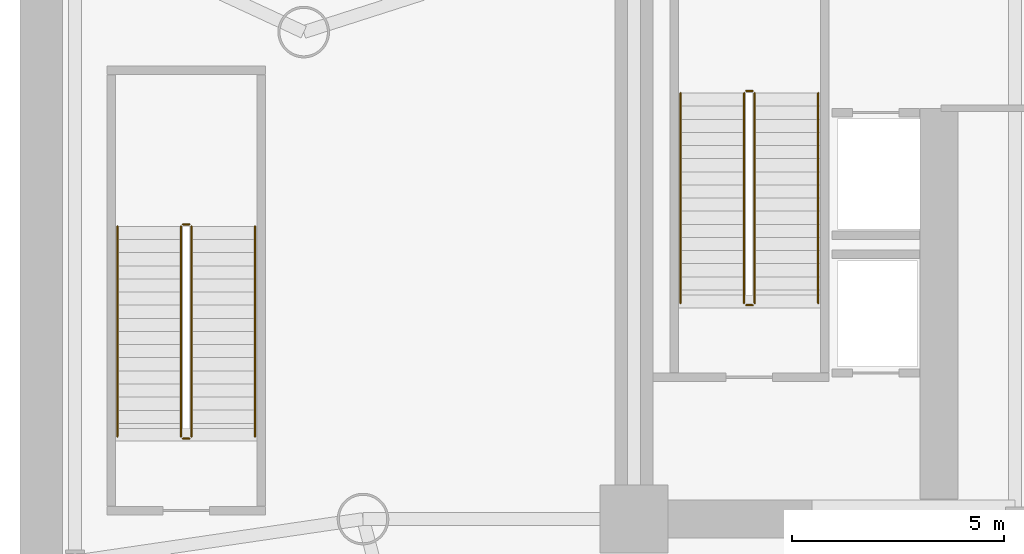
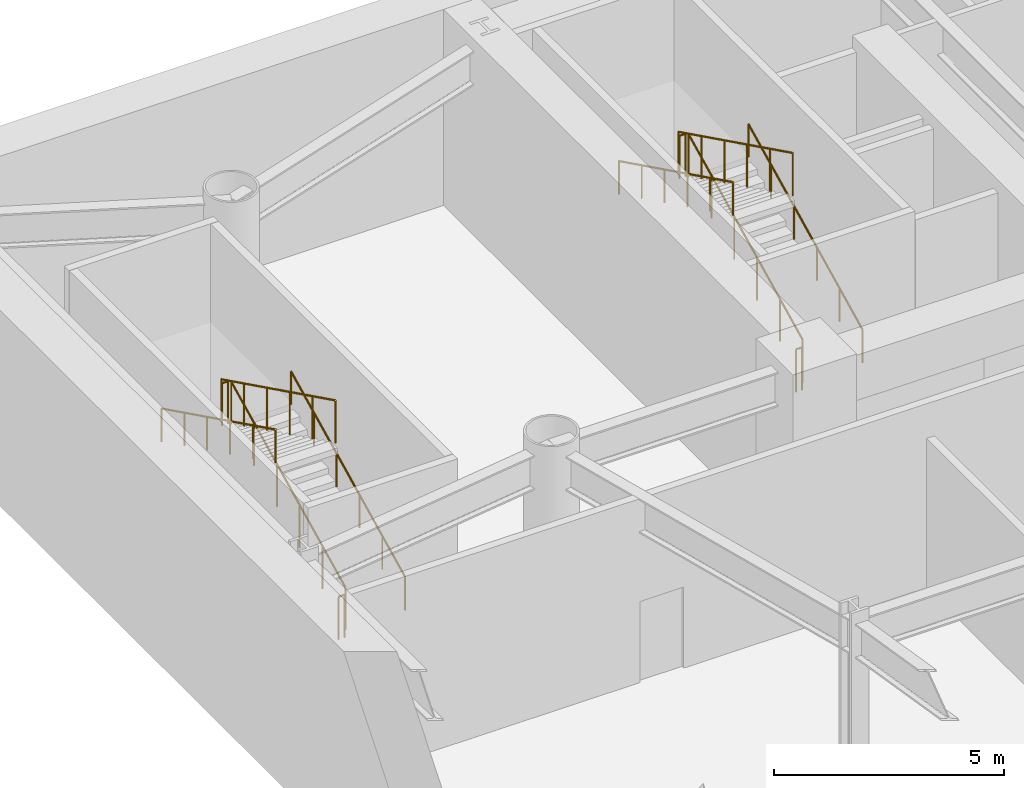
# One storey, part 6 of 9: 12 railings.
"""IFC4 building model written with IfcOpenShell, lengths in metres."""

from ifc_helpers import new_model, si_unit, direction, frame, origin, origin_2d, place, context, subcontext, project, spatial, circle, extrude, material, type_object, element, save


model = new_model("IFC4")

# Units and contexts
model_context = context("Model", 3, precision=1e-05, world=origin(), true_north=direction((0.0, 1.0)))
body_context = subcontext(model_context, "Body", "Model", "MODEL_VIEW")
ifc_project = project(units=[si_unit("LENGTHUNIT", "METRE"), si_unit("AREAUNIT", "SQUARE_METRE"), si_unit("VOLUMEUNIT", "CUBIC_METRE"), si_unit("PLANEANGLEUNIT", "RADIAN"), si_unit("MASSUNIT", "GRAM", prefix="KILO")], contexts=[model_context])

# Site, building, storey
site_placement = place(None, origin())
site = spatial("IfcSite", under=ifc_project, at=site_placement, CompositionType="ELEMENT")
building_placement = place(site_placement, origin())
building = spatial("IfcBuilding", under=site, at=building_placement, Name="Vaeldorn Concourse Tower", CompositionType="ELEMENT")
storey_placement = place(building_placement, frame((0.0, 0.0, -5.199951171875)))
storey = spatial("IfcBuildingStorey", under=building, at=storey_placement, Name="B01", CompositionType="ELEMENT", Elevation=-5.199951171875)

# Railings
ifc_material = material(Name="Anodised Bronze Aluminium", Category="aluminium")
railing_type_1 = type_object("IfcRailingType", Name="RL-STAIR-GUARD", PredefinedType="GUARDRAIL", material=ifc_material)
railing_1_placement = place(storey_placement, frame((16.85009765625, 41.60009765625, 0.15283203125)))
element("IfcRailing", 1, at=railing_1_placement, inside=storey, type_object=railing_type_1, Name="B01 ST-1 stair guard 1", PredefinedType="GUARDRAIL", context=body_context, shape_type="SweptSolid", body=[
    extrude(circle(Radius=0.02392578125, at=origin_2d()), frame((0.0, 0.0, 1.1259765625), z_axis=(0.0, 0.896798178328, 0.442439857323), x_axis=(-1.0, 0.0, 0.0)), (0.0, 0.0, 1.0), 5.53076171875),
    extrude(circle(Radius=0.02099609375, at=origin_2d()), origin(), (0.0, 0.0, 1.0), 1.101806640625),
    extrude(circle(Radius=0.02099609375, at=origin_2d()), frame((0.0, 0.991943359375, 0.489501953125)), (0.0, 0.0, 1.0), 1.101806640625),
    extrude(circle(Radius=0.02099609375, at=origin_2d()), frame((0.0, 1.98388671875, 0.978759765625)), (0.0, 0.0, 1.0), 1.101806640625),
    extrude(circle(Radius=0.02099609375, at=origin_2d()), frame((0.0, 2.97607421875, 1.46826171875)), (0.0, 0.0, 1.0), 1.101806640625),
    extrude(circle(Radius=0.02099609375, at=origin_2d()), frame((0.0, 3.968017578125, 1.95751953125)), (0.0, 0.0, 1.0), 1.101806640625),
    extrude(circle(Radius=0.02099609375, at=origin_2d()), frame((0.0, 4.9599609375, 2.447021484375)), (0.0, 0.0, 1.0), 1.101806640625),
])
railing_2_placement = place(storey_placement, frame((16.800048828125, 46.610107421875, 2.599853515625)))
element("IfcRailing", 2, at=railing_2_placement, inside=storey, type_object=railing_type_1, Name="B01 ST-1 stair guard 2", PredefinedType="GUARDRAIL", context=body_context, shape_type="SweptSolid", body=[
    extrude(circle(Radius=0.02392578125, at=origin_2d()), frame((0.0, 0.0, 1.1259765625), z_axis=(-1.0, 0.0, 0.0), x_axis=(0.0, -1.0, 0.0)), (0.0, 0.0, 1.0), 0.150146484375),
    extrude(circle(Radius=0.02099609375, at=origin_2d()), origin(), (0.0, 0.0, 1.0), 1.101806640625),
    extrude(circle(Radius=0.02099609375, at=origin_2d()), frame((-0.150146484375, 0.0, 0.0)), (0.0, 0.0, 1.0), 1.101806640625),
])
railing_3_placement = place(storey_placement, frame((16.60009765625, 46.56005859375, 2.7529296875)))
element("IfcRailing", 3, at=railing_3_placement, inside=storey, type_object=railing_type_1, Name="B01 ST-1 stair guard 3", PredefinedType="GUARDRAIL", context=body_context, shape_type="SweptSolid", body=[
    extrude(circle(Radius=0.02392578125, at=origin_2d()), frame((0.0, 0.0, 1.1259765625), z_axis=(0.0, -0.896798178328, 0.442439857323), x_axis=(1.0, 0.0, 0.0)), (0.0, 0.0, 1.0), 5.53076171875),
    extrude(circle(Radius=0.02099609375, at=origin_2d()), origin(), (0.0, 0.0, 1.0), 1.101806640625),
    extrude(circle(Radius=0.02099609375, at=origin_2d()), frame((0.0, -0.991943359375, 0.489501953125)), (0.0, 0.0, 1.0), 1.101806640625),
    extrude(circle(Radius=0.02099609375, at=origin_2d()), frame((0.0, -1.98388671875, 0.978759765625)), (0.0, 0.0, 1.0), 1.101806640625),
    extrude(circle(Radius=0.02099609375, at=origin_2d()), frame((0.0, -2.97607421875, 1.46826171875)), (0.0, 0.0, 1.0), 1.101806640625),
    extrude(circle(Radius=0.02099609375, at=origin_2d()), frame((0.0, -3.968017578125, 1.95751953125)), (0.0, 0.0, 1.0), 1.101806640625),
    extrude(circle(Radius=0.02099609375, at=origin_2d()), frame((0.0, -4.9599609375, 2.447021484375)), (0.0, 0.0, 1.0), 1.101806640625),
])
railing_4_placement = place(storey_placement, frame((16.800048828125, 41.550048828125, 0.0)))
element("IfcRailing", 4, at=railing_4_placement, inside=storey, type_object=railing_type_1, Name="B01 ST-1 stair guard 4", PredefinedType="GUARDRAIL", context=body_context, shape_type="SweptSolid", body=[
    extrude(circle(Radius=0.02392578125, at=origin_2d()), frame((0.0, 0.0, 1.1259765625), z_axis=(-1.0, 0.0, 0.0), x_axis=(0.0, -1.0, 0.0)), (0.0, 0.0, 1.0), 0.150146484375),
    extrude(circle(Radius=0.02099609375, at=origin_2d()), origin(), (0.0, 0.0, 1.0), 1.101806640625),
    extrude(circle(Radius=0.02099609375, at=origin_2d()), frame((-0.150146484375, 0.0, 0.0)), (0.0, 0.0, 1.0), 1.101806640625),
])
railing_5_placement = place(storey_placement, frame((3.550048828125, 38.449951171875, 0.15283203125)))
element("IfcRailing", 5, at=railing_5_placement, inside=storey, type_object=railing_type_1, Name="B01 ST-3 stair guard 1", PredefinedType="GUARDRAIL", context=body_context, shape_type="SweptSolid", body=[
    extrude(circle(Radius=0.02392578125, at=origin_2d()), frame((0.0, 0.0, 1.1259765625), z_axis=(0.0, 0.896798178328, 0.442439857323), x_axis=(-1.0, 0.0, 0.0)), (0.0, 0.0, 1.0), 5.53076171875),
    extrude(circle(Radius=0.02099609375, at=origin_2d()), origin(), (0.0, 0.0, 1.0), 1.101806640625),
    extrude(circle(Radius=0.02099609375, at=origin_2d()), frame((0.0, 0.991943359375, 0.489501953125)), (0.0, 0.0, 1.0), 1.101806640625),
    extrude(circle(Radius=0.02099609375, at=origin_2d()), frame((0.0, 1.98388671875, 0.978759765625)), (0.0, 0.0, 1.0), 1.101806640625),
    extrude(circle(Radius=0.02099609375, at=origin_2d()), frame((0.0, 2.97607421875, 1.46826171875)), (0.0, 0.0, 1.0), 1.101806640625),
    extrude(circle(Radius=0.02099609375, at=origin_2d()), frame((0.0, 3.968017578125, 1.95751953125)), (0.0, 0.0, 1.0), 1.101806640625),
    extrude(circle(Radius=0.02099609375, at=origin_2d()), frame((0.0, 4.9599609375, 2.447021484375)), (0.0, 0.0, 1.0), 1.101806640625),
])
railing_6_placement = place(storey_placement, frame((3.5, 43.4599609375, 2.599853515625)))
element("IfcRailing", 6, at=railing_6_placement, inside=storey, type_object=railing_type_1, Name="B01 ST-3 stair guard 2", PredefinedType="GUARDRAIL", context=body_context, shape_type="SweptSolid", body=[
    extrude(circle(Radius=0.02392578125, at=origin_2d()), frame((0.0, 0.0, 1.1259765625), z_axis=(-1.0, 0.0, 0.0), x_axis=(0.0, -1.0, 0.0)), (0.0, 0.0, 1.0), 0.14990234375),
    extrude(circle(Radius=0.02099609375, at=origin_2d()), origin(), (0.0, 0.0, 1.0), 1.101806640625),
    extrude(circle(Radius=0.02099609375, at=origin_2d()), frame((-0.14990234375, 0.0, 0.0)), (0.0, 0.0, 1.0), 1.101806640625),
])
railing_7_placement = place(storey_placement, frame((3.300048828125, 43.409912109375, 2.7529296875)))
element("IfcRailing", 7, at=railing_7_placement, inside=storey, type_object=railing_type_1, Name="B01 ST-3 stair guard 3", PredefinedType="GUARDRAIL", context=body_context, shape_type="SweptSolid", body=[
    extrude(circle(Radius=0.02392578125, at=origin_2d()), frame((0.0, 0.0, 1.1259765625), z_axis=(0.0, -0.896798178328, 0.442439857323), x_axis=(1.0, 0.0, 0.0)), (0.0, 0.0, 1.0), 5.53076171875),
    extrude(circle(Radius=0.02099609375, at=origin_2d()), origin(), (0.0, 0.0, 1.0), 1.101806640625),
    extrude(circle(Radius=0.02099609375, at=origin_2d()), frame((0.0, -0.991943359375, 0.489501953125)), (0.0, 0.0, 1.0), 1.101806640625),
    extrude(circle(Radius=0.02099609375, at=origin_2d()), frame((0.0, -1.98388671875, 0.978759765625)), (0.0, 0.0, 1.0), 1.101806640625),
    extrude(circle(Radius=0.02099609375, at=origin_2d()), frame((0.0, -2.97607421875, 1.46826171875)), (0.0, 0.0, 1.0), 1.101806640625),
    extrude(circle(Radius=0.02099609375, at=origin_2d()), frame((0.0, -3.968017578125, 1.95751953125)), (0.0, 0.0, 1.0), 1.101806640625),
    extrude(circle(Radius=0.02099609375, at=origin_2d()), frame((0.0, -4.9599609375, 2.447021484375)), (0.0, 0.0, 1.0), 1.101806640625),
])
railing_8_placement = place(storey_placement, frame((3.5, 38.39990234375, 0.0)))
element("IfcRailing", 8, at=railing_8_placement, inside=storey, type_object=railing_type_1, Name="B01 ST-3 stair guard 4", PredefinedType="GUARDRAIL", context=body_context, shape_type="SweptSolid", body=[
    extrude(circle(Radius=0.02392578125, at=origin_2d()), frame((0.0, 0.0, 1.1259765625), z_axis=(-1.0, 0.0, 0.0), x_axis=(0.0, -1.0, 0.0)), (0.0, 0.0, 1.0), 0.14990234375),
    extrude(circle(Radius=0.02099609375, at=origin_2d()), origin(), (0.0, 0.0, 1.0), 1.101806640625),
    extrude(circle(Radius=0.02099609375, at=origin_2d()), frame((-0.14990234375, 0.0, 0.0)), (0.0, 0.0, 1.0), 1.101806640625),
])
railing_type_2 = type_object("IfcRailingType", Name="RL-STAIR-HANDRAIL", PredefinedType="HANDRAIL", material=ifc_material)
railing_9_placement = place(storey_placement, frame((18.35009765625, 41.60009765625, 0.15283203125)))
element("IfcRailing", 9, at=railing_9_placement, inside=storey, type_object=railing_type_2, Name="B01 ST-1 stair handrail 1", PredefinedType="HANDRAIL", context=body_context, shape_type="SweptSolid", body=[
    extrude(circle(Radius=0.02392578125, at=origin_2d()), frame((0.0, 0.0, 0.8759765625), z_axis=(0.0, 0.896798178328, 0.442439857323), x_axis=(-1.0, 0.0, 0.0)), (0.0, 0.0, 1.0), 5.53076171875),
    extrude(circle(Radius=0.02099609375, at=origin_2d()), origin(), (0.0, 0.0, 1.0), 0.851806640625),
    extrude(circle(Radius=0.02099609375, at=origin_2d()), frame((0.0, 0.991943359375, 0.489501953125)), (0.0, 0.0, 1.0), 0.851806640625),
    extrude(circle(Radius=0.02099609375, at=origin_2d()), frame((0.0, 1.98388671875, 0.978759765625)), (0.0, 0.0, 1.0), 0.851806640625),
    extrude(circle(Radius=0.02099609375, at=origin_2d()), frame((0.0, 2.97607421875, 1.46826171875)), (0.0, 0.0, 1.0), 0.851806640625),
    extrude(circle(Radius=0.02099609375, at=origin_2d()), frame((0.0, 3.968017578125, 1.95751953125)), (0.0, 0.0, 1.0), 0.851806640625),
    extrude(circle(Radius=0.02099609375, at=origin_2d()), frame((0.0, 4.9599609375, 2.447021484375)), (0.0, 0.0, 1.0), 0.851806640625),
])
railing_10_placement = place(storey_placement, frame((15.10009765625, 46.56005859375, 2.7529296875)))
element("IfcRailing", 10, at=railing_10_placement, inside=storey, type_object=railing_type_2, Name="B01 ST-1 stair handrail 2", PredefinedType="HANDRAIL", context=body_context, shape_type="SweptSolid", body=[
    extrude(circle(Radius=0.02392578125, at=origin_2d()), frame((0.0, 0.0, 0.8759765625), z_axis=(0.0, -0.896798178328, 0.442439857323), x_axis=(1.0, 0.0, 0.0)), (0.0, 0.0, 1.0), 5.53076171875),
    extrude(circle(Radius=0.02099609375, at=origin_2d()), origin(), (0.0, 0.0, 1.0), 0.851806640625),
    extrude(circle(Radius=0.02099609375, at=origin_2d()), frame((0.0, -0.991943359375, 0.489501953125)), (0.0, 0.0, 1.0), 0.851806640625),
    extrude(circle(Radius=0.02099609375, at=origin_2d()), frame((0.0, -1.98388671875, 0.978759765625)), (0.0, 0.0, 1.0), 0.851806640625),
    extrude(circle(Radius=0.02099609375, at=origin_2d()), frame((0.0, -2.97607421875, 1.46826171875)), (0.0, 0.0, 1.0), 0.851806640625),
    extrude(circle(Radius=0.02099609375, at=origin_2d()), frame((0.0, -3.968017578125, 1.95751953125)), (0.0, 0.0, 1.0), 0.851806640625),
    extrude(circle(Radius=0.02099609375, at=origin_2d()), frame((0.0, -4.9599609375, 2.447021484375)), (0.0, 0.0, 1.0), 0.851806640625),
])
railing_11_placement = place(storey_placement, frame((5.050048828125, 38.449951171875, 0.15283203125)))
element("IfcRailing", 11, at=railing_11_placement, inside=storey, type_object=railing_type_2, Name="B01 ST-3 stair handrail 1", PredefinedType="HANDRAIL", context=body_context, shape_type="SweptSolid", body=[
    extrude(circle(Radius=0.02392578125, at=origin_2d()), frame((0.0, 0.0, 0.8759765625), z_axis=(0.0, 0.896798178328, 0.442439857323), x_axis=(-1.0, 0.0, 0.0)), (0.0, 0.0, 1.0), 5.53076171875),
    extrude(circle(Radius=0.02099609375, at=origin_2d()), origin(), (0.0, 0.0, 1.0), 0.851806640625),
    extrude(circle(Radius=0.02099609375, at=origin_2d()), frame((0.0, 0.991943359375, 0.489501953125)), (0.0, 0.0, 1.0), 0.851806640625),
    extrude(circle(Radius=0.02099609375, at=origin_2d()), frame((0.0, 1.98388671875, 0.978759765625)), (0.0, 0.0, 1.0), 0.851806640625),
    extrude(circle(Radius=0.02099609375, at=origin_2d()), frame((0.0, 2.97607421875, 1.46826171875)), (0.0, 0.0, 1.0), 0.851806640625),
    extrude(circle(Radius=0.02099609375, at=origin_2d()), frame((0.0, 3.968017578125, 1.95751953125)), (0.0, 0.0, 1.0), 0.851806640625),
    extrude(circle(Radius=0.02099609375, at=origin_2d()), frame((0.0, 4.9599609375, 2.447021484375)), (0.0, 0.0, 1.0), 0.851806640625),
])
railing_12_placement = place(storey_placement, frame((1.800048828125, 43.409912109375, 2.7529296875)))
element("IfcRailing", 12, at=railing_12_placement, inside=storey, type_object=railing_type_2, Name="B01 ST-3 stair handrail 2", PredefinedType="HANDRAIL", context=body_context, shape_type="SweptSolid", body=[
    extrude(circle(Radius=0.02392578125, at=origin_2d()), frame((0.0, 0.0, 0.8759765625), z_axis=(0.0, -0.896798178328, 0.442439857323), x_axis=(1.0, 0.0, 0.0)), (0.0, 0.0, 1.0), 5.53076171875),
    extrude(circle(Radius=0.02099609375, at=origin_2d()), origin(), (0.0, 0.0, 1.0), 0.851806640625),
    extrude(circle(Radius=0.02099609375, at=origin_2d()), frame((0.0, -0.991943359375, 0.489501953125)), (0.0, 0.0, 1.0), 0.851806640625),
    extrude(circle(Radius=0.02099609375, at=origin_2d()), frame((0.0, -1.98388671875, 0.978759765625)), (0.0, 0.0, 1.0), 0.851806640625),
    extrude(circle(Radius=0.02099609375, at=origin_2d()), frame((0.0, -2.97607421875, 1.46826171875)), (0.0, 0.0, 1.0), 0.851806640625),
    extrude(circle(Radius=0.02099609375, at=origin_2d()), frame((0.0, -3.968017578125, 1.95751953125)), (0.0, 0.0, 1.0), 0.851806640625),
    extrude(circle(Radius=0.02099609375, at=origin_2d()), frame((0.0, -4.9599609375, 2.447021484375)), (0.0, 0.0, 1.0), 0.851806640625),
])

save(model, "model.ifc")
